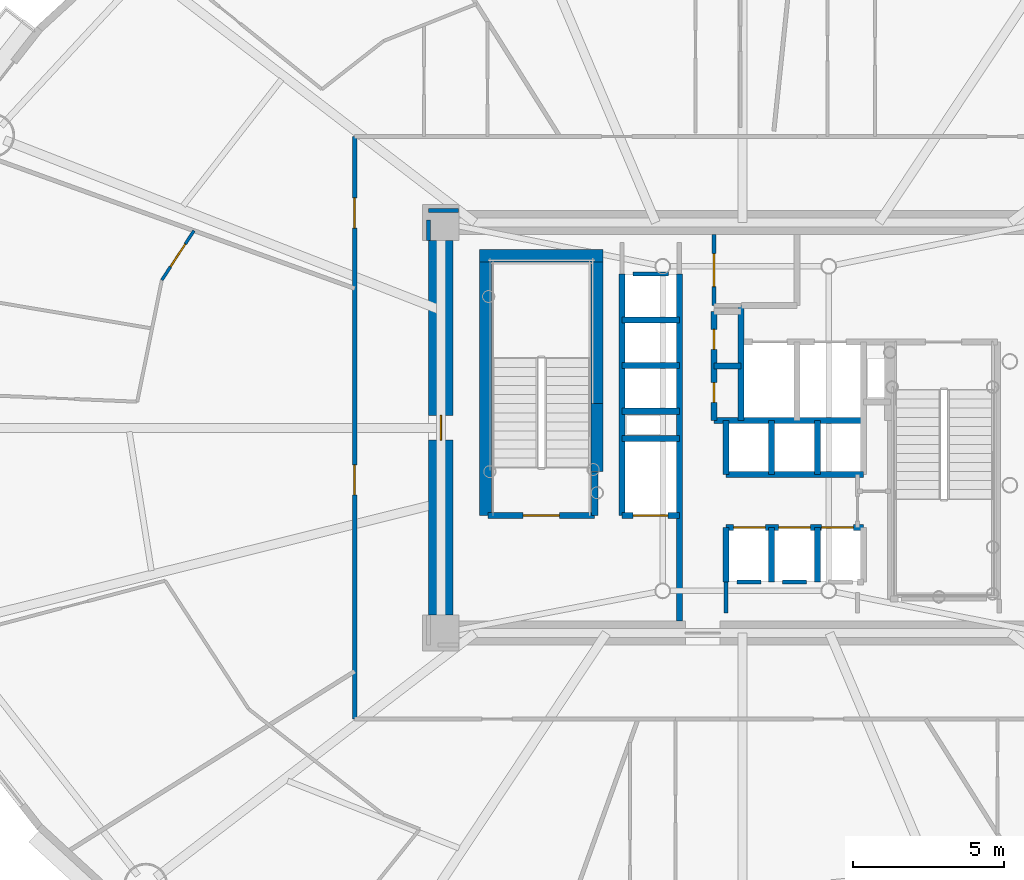
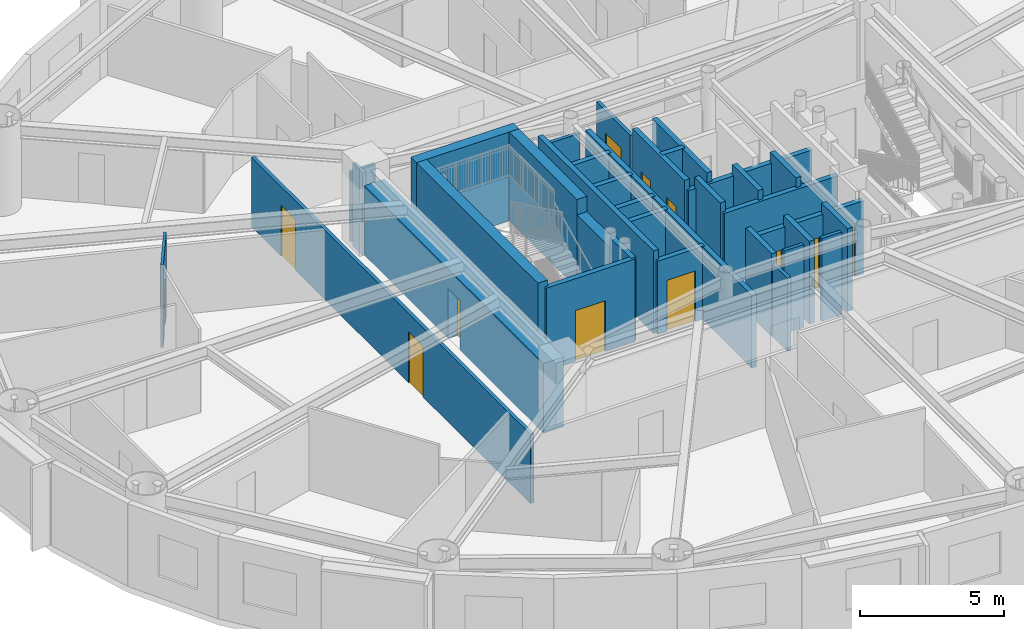
# One storey, part 9 of 19: 35 walls, 12 doors, 12 openings.
"""IFC4 building model written with IfcOpenShell, lengths in metres."""

from ifc_helpers import new_model, si_unit, direction, frame, frame_2d, origin, origin_2d, place, context, subcontext, project, spatial, rectangle, extrude, source, transform, mapped, material, layer, layer_set, type_object, element, fill, save


model = new_model("IFC4")

# Units and contexts
model_context = context("Model", 3, precision=1e-05, world=origin(), true_north=direction((0.0, 1.0)))
body_context = subcontext(model_context, "Body", "Model", "MODEL_VIEW")
ifc_project = project(units=[si_unit("LENGTHUNIT", "METRE"), si_unit("AREAUNIT", "SQUARE_METRE"), si_unit("VOLUMEUNIT", "CUBIC_METRE"), si_unit("PLANEANGLEUNIT", "RADIAN"), si_unit("MASSUNIT", "GRAM", prefix="KILO")], contexts=[model_context])

# Site, building, storey
site_placement = place(None, origin())
site = spatial("IfcSite", under=ifc_project, at=site_placement, CompositionType="ELEMENT")
building_placement = place(site_placement, origin())
building = spatial("IfcBuilding", under=site, at=building_placement, Name="Linh Dai School and Residence Tower", CompositionType="ELEMENT")
storey_placement = place(building_placement, frame((0.0, 0.0, 119.699951171875)))
storey = spatial("IfcBuildingStorey", under=building, at=storey_placement, Name="L28", CompositionType="ELEMENT", Elevation=119.699951171875)

# Wall, openings, doors
ifc_material_1 = material(Name="Autoclaved Aerated Concrete Blockwork", Category="masonry")
ifc_layer_1 = layer(ifc_material_1, 0.135009765625)
ifc_layer_set_1 = layer_set([ifc_layer_1], Name="Autoclaved Aerated Concrete Blockwork")
wall_type_1 = type_object("IfcWallType", Name="IW-CORR-135-EI90", PredefinedType="PARTITIONING", material=ifc_layer_set_1)
wall_1_placement = place(storey_placement, frame((23.14990234375, 17.35009765625, 0.0), z_axis=(0.0, 0.0, 1.0), x_axis=(0.0, 1.0, 0.0)))
wall_1 = element("IfcWall", 1, at=wall_1_placement, inside=storey, type_object=wall_type_1, Name="L28 Interior Partition Wall 017", PredefinedType="PARTITIONING", context=body_context, shape_type="SweptSolid", body=[
    extrude(rectangle(XDim=19.2998046875, YDim=0.135009765625, at=frame_2d((9.64990234375, 0.0))), origin(), (0.0, 0.0, 1.0), 2.93505859375),
])
opening_1_placement = place(wall_1_placement, frame((16.263671875, 0.0, 0.0)))
opening_1 = element("IfcOpeningElement", 2, at=opening_1_placement, cuts=wall_1, Name="Opening D03", PredefinedType="OPENING", context=body_context, shape_type="SweptSolid", body=[
    extrude(rectangle(XDim=1.0, YDim=2.14990234375, at=origin_2d()), frame((0.5, 0.07763671875, 1.074951171875), z_axis=(0.0, -1.0, 0.0), x_axis=(1.0, 0.0, 0.0)), (0.0, 0.0, 1.0), 0.155029296875),
])
opening_2_placement = place(wall_1_placement, frame((7.425537109375, 0.0, 0.0)))
opening_2 = element("IfcOpeningElement", 3, at=opening_2_placement, cuts=wall_1, Name="Opening D03", PredefinedType="OPENING", context=body_context, shape_type="SweptSolid", body=[
    extrude(rectangle(XDim=1.0, YDim=2.14990234375, at=origin_2d()), frame((0.5, 0.07763671875, 1.074951171875), z_axis=(0.0, -1.0, 0.0), x_axis=(1.0, 0.0, 0.0)), (0.0, 0.0, 1.0), 0.155029296875),
])
ifc_material_2 = material(Name="Fire-Rated Solid Timber Entrance Door", Category="wood")
door_type_1 = type_object("IfcDoorType", Name="DR-FLAT-1000x2150-FD60S", OperationType="NOTDEFINED", PredefinedType="DOOR", material=ifc_material_2)
shared_shape_1 = source(origin(), body_context, "Body", "SweptSolid", [
    extrude(rectangle(XDim=1.0, YDim=2.14990234375, at=origin_2d()), frame((0.5, 0.02490234375, 1.074951171875), z_axis=(0.0, -1.0, 0.0), x_axis=(1.0, 0.0, 0.0)), (0.0, 0.0, 1.0), 0.050048828125),
])
door_1_placement = place(opening_1_placement, origin())
door_1 = element("IfcDoor", 4, at=door_1_placement, inside=storey, type_object=door_type_1, Name="L28 U2802 Apartment Entrance Door", OperationType="SINGLE_SWING_LEFT", OverallHeight=2.14990234375, OverallWidth=1.0, PredefinedType="DOOR", context=body_context, shape_type="MappedRepresentation", body=[
    mapped(shared_shape_1, transform((0.0, 0.0, 0.0), x_axis=(1.0, 0.0, 0.0), y_axis=(0.0, 1.0, 0.0), z_axis=(0.0, 0.0, 1.0), scale=1.0)),
])
fill(opening_1, door_1)
door_2_placement = place(opening_2_placement, origin())
door_2 = element("IfcDoor", 5, at=door_2_placement, inside=storey, type_object=door_type_1, Name="L28 U2803 Apartment Entrance Door", OperationType="SINGLE_SWING_LEFT", OverallHeight=2.14990234375, OverallWidth=1.0, PredefinedType="DOOR", context=body_context, shape_type="MappedRepresentation", body=[
    mapped(shared_shape_1, transform((0.0, 0.0, 0.0), x_axis=(1.0, 0.0, 0.0), y_axis=(0.0, 1.0, 0.0), z_axis=(0.0, 0.0, 1.0), scale=1.0)),
])
fill(opening_2, door_2)

# Wall, opening, door
wall_2_placement = place(storey_placement, frame((35.050048828125, 31.050048828125, 0.0), z_axis=(0.0, 0.0, 1.0), x_axis=(0.0, 1.0, 0.0)))
wall_2 = element("IfcWall", 6, at=wall_2_placement, inside=storey, type_object=wall_type_1, Name="L28 Interior Partition Wall 046", PredefinedType="PARTITIONING", context=body_context, shape_type="SweptSolid", body=[
    extrude(rectangle(XDim=2.349853515625, YDim=0.135009765625, at=frame_2d((1.1748046875, 0.0))), origin(), (0.0, 0.0, 1.0), 3.0849609375),
])
opening_3_placement = place(wall_2_placement, frame((0.625, 0.0, 0.0)))
opening_3 = element("IfcOpeningElement", 7, at=opening_3_placement, cuts=wall_2, Name="Opening D07", PredefinedType="OPENING", context=body_context, shape_type="SweptSolid", body=[
    extrude(rectangle(XDim=1.10009765625, YDim=2.14990234375, at=origin_2d()), frame((0.550048828125, 0.07763671875, 1.074951171875), z_axis=(0.0, -1.0, 0.0), x_axis=(1.0, 0.0, 0.0)), (0.0, 0.0, 1.0), 0.155029296875),
])
ifc_material_3 = material(Name="Fire-Rated Louvred Steel Plant Door", Category="steel")
door_type_2 = type_object("IfcDoorType", Name="DR-PLT-1100x2150-FD60S", OperationType="NOTDEFINED", PredefinedType="DOOR", material=ifc_material_3)
shared_shape_2 = source(origin(), body_context, "Body", "SweptSolid", [
    extrude(rectangle(XDim=1.10009765625, YDim=2.14990234375, at=origin_2d()), frame((0.550048828125, 0.02490234375, 1.074951171875), z_axis=(0.0, -1.0, 0.0), x_axis=(1.0, 0.0, 0.0)), (0.0, 0.0, 1.0), 0.050048828125),
])
door_3_placement = place(opening_3_placement, origin())
door_3 = element("IfcDoor", 8, at=door_3_placement, inside=storey, type_object=door_type_2, Name="L28 North Telecom Switchroom Door", OperationType="SINGLE_SWING_LEFT", OverallHeight=2.14990234375, OverallWidth=1.10009765625, PredefinedType="DOOR", context=body_context, shape_type="MappedRepresentation", body=[
    mapped(shared_shape_2, transform((0.0, 0.0, 0.0), x_axis=(1.0, 0.0, 0.0), y_axis=(0.0, 1.0, 0.0), z_axis=(0.0, 0.0, 1.0), scale=1.0)),
])
fill(opening_3, door_3)

# Walls
wall_3_placement = place(storey_placement, frame((36.60009765625, 21.89990234375, 0.0), z_axis=(0.0, 0.0, 1.0), x_axis=(-1.0, 0.0, 0.0)))
element("IfcWall", 9, at=wall_3_placement, inside=storey, type_object=wall_type_1, Name="L28 Interior Partition Wall 102", PredefinedType="PARTITIONING", context=body_context, shape_type="SweptSolid", body=[
    extrude(rectangle(XDim=0.7900390625, YDim=0.135009765625, at=frame_2d((0.39501953125, 0.0))), origin(), (0.0, 0.0, 1.0), 3.5),
])
wall_4_placement = place(storey_placement, frame((38.1201171875, 21.89990234375, 0.0), z_axis=(0.0, 0.0, 1.0), x_axis=(-1.0, 0.0, 0.0)))
element("IfcWall", 10, at=wall_4_placement, inside=storey, type_object=wall_type_1, Name="L28 Interior Partition Wall 103", PredefinedType="PARTITIONING", context=body_context, shape_type="SweptSolid", body=[
    extrude(rectangle(XDim=0.800048828125, YDim=0.135009765625, at=frame_2d((0.39990234375, 0.0))), origin(), (0.0, 0.0, 1.0), 3.5),
])
wall_5_placement = place(storey_placement, frame((32.360107421875, 32.10009765625, 0.0), z_axis=(0.0, 0.0, 1.0), x_axis=(1.0, 0.0, 0.0)))
element("IfcWall", 11, at=wall_5_placement, inside=storey, type_object=wall_type_1, Name="L28 Interior Partition Wall 105", PredefinedType="PARTITIONING", context=body_context, shape_type="SweptSolid", body=[
    extrude(rectangle(XDim=1.179931640625, YDim=0.135009765625, at=frame_2d((0.58984375, 0.0))), origin(), (0.0, 0.0, 1.0), 3.0849609375),
])
wall_6_placement = place(storey_placement, frame((35.449951171875, 21.889892578125, 0.0), z_axis=(0.0, 0.0, 1.0), x_axis=(0.0, -1.0, 0.0)))
element("IfcWall", 12, at=wall_6_placement, inside=storey, type_object=wall_type_1, Name="L28 Interior Partition Wall 109", PredefinedType="PARTITIONING", context=body_context, shape_type="SweptSolid", body=[
    extrude(rectangle(XDim=1.02978515625, YDim=0.135009765625, at=frame_2d((0.514892578125, 0.0))), origin(), (0.0, 0.0, 1.0), 3.0849609375),
])
wall_7_placement = place(storey_placement, frame((26.590087890625, 34.199951171875, 0.0), z_axis=(0.0, 0.0, 1.0), x_axis=(-1.0, 0.0, 0.0)))
element("IfcWall", 13, at=wall_7_placement, inside=storey, type_object=wall_type_1, Name="L28 Interior Partition Wall 114", PredefinedType="PARTITIONING", context=body_context, shape_type="SweptSolid", body=[
    extrude(rectangle(XDim=0.989990234375, YDim=0.135009765625, at=frame_2d((0.4951171875, 0.0))), origin(), (0.0, 0.0, 1.0), 2.93505859375),
])
wall_8_placement = place(storey_placement, frame((25.60009765625, 33.892578125, 0.0), z_axis=(0.0, 0.0, 1.0), x_axis=(0.0, -1.0, 0.0)))
element("IfcWall", 14, at=wall_8_placement, inside=storey, type_object=wall_type_1, Name="L28 Interior Partition Wall 115", PredefinedType="PARTITIONING", context=body_context, shape_type="SweptSolid", body=[
    extrude(rectangle(XDim=0.6826171875, YDim=0.135009765625, at=frame_2d((0.34130859375, 0.0))), origin(), (0.0, 0.0, 1.0), 3.5),
])

# Wall, opening, door
ifc_material_4 = material(Name="Concrete B45 (C35/45)", Category="concrete")
ifc_layer_2 = layer(ifc_material_4, 0.199951171875)
ifc_layer_set_2 = layer_set([ifc_layer_2], Name="Concrete B45 (C35/45)")
wall_type_2 = type_object("IfcWallType", Name="IW-SHAFT-200-EI120", PredefinedType="PARTITIONING", material=ifc_layer_set_2)
wall_9_placement = place(storey_placement, frame((27.56005859375, 24.10009765625, 0.0), z_axis=(0.0, 0.0, 1.0), x_axis=(1.0, 0.0, 0.0)))
wall_9 = element("IfcWall", 15, at=wall_9_placement, inside=storey, type_object=wall_type_2, Name="L28 Interior Partition Wall 025", PredefinedType="PARTITIONING", context=body_context, shape_type="SweptSolid", body=[
    extrude(rectangle(XDim=3.5400390625, YDim=0.199951171875, at=frame_2d((1.77001953125, 0.0))), origin(), (0.0, 0.0, 1.0), 3.5),
])
opening_4_placement = place(wall_9_placement, frame((1.169921875, 0.0, 0.0)))
opening_4 = element("IfcOpeningElement", 16, at=opening_4_placement, cuts=wall_9, Name="Opening D01", PredefinedType="OPENING", context=body_context, shape_type="SweptSolid", body=[
    extrude(rectangle(XDim=1.199951171875, YDim=2.14990234375, at=origin_2d()), frame((0.60009765625, 0.10986328125, 1.074951171875), z_axis=(0.0, -1.0, 0.0), x_axis=(1.0, 0.0, 0.0)), (0.0, 0.0, 1.0), 0.219970703125),
])
ifc_material_5 = material(Name="Fire-Rated Steel Door Leaf", Category="steel")
door_type_3 = type_object("IfcDoorType", Name="DR-STAIR-1200x2150-FD90S", OperationType="NOTDEFINED", PredefinedType="DOOR", material=ifc_material_5)
shared_shape_3 = source(origin(), body_context, "Body", "SweptSolid", [
    extrude(rectangle(XDim=1.199951171875, YDim=2.14990234375, at=origin_2d()), frame((0.60009765625, 0.02490234375, 1.074951171875), z_axis=(0.0, -1.0, 0.0), x_axis=(1.0, 0.0, 0.0)), (0.0, 0.0, 1.0), 0.050048828125),
])
door_4_placement = place(opening_4_placement, origin())
door_4 = element("IfcDoor", 17, at=door_4_placement, inside=storey, type_object=door_type_3, Name="L28 Core Smokeproof Exit Stair ST1 Door", OperationType="SINGLE_SWING_LEFT", OverallHeight=2.14990234375, OverallWidth=1.199951171875, PredefinedType="DOOR", context=body_context, shape_type="MappedRepresentation", body=[
    mapped(shared_shape_3, transform((0.0, 0.0, 0.0), x_axis=(1.0, 0.0, 0.0), y_axis=(0.0, 1.0, 0.0), z_axis=(0.0, 0.0, 1.0), scale=1.0)),
])
fill(opening_4, door_4)

# Walls
wall_10_placement = place(storey_placement, frame((31.10009765625, 24.10009765625, 0.0), z_axis=(0.0, 0.0, 1.0), x_axis=(0.0, 1.0, 0.0)))
element("IfcWall", 18, at=wall_10_placement, inside=storey, type_object=wall_type_2, Name="L28 Interior Partition Wall 029", PredefinedType="PARTITIONING", context=body_context, shape_type="SweptSolid", body=[
    extrude(rectangle(XDim=1.43994140625, YDim=0.199951171875, at=frame_2d((0.719970703125, 0.0))), origin(), (0.0, 0.0, 1.0), 3.5),
])
wall_11_placement = place(storey_placement, frame((32.0, 24.10009765625, 0.0), z_axis=(0.0, 0.0, 1.0), x_axis=(0.0, 1.0, 0.0)))
element("IfcWall", 19, at=wall_11_placement, inside=storey, type_object=wall_type_2, Name="L28 Interior Partition Wall 030", PredefinedType="PARTITIONING", context=body_context, shape_type="SweptSolid", body=[
    extrude(rectangle(XDim=8.0, YDim=0.199951171875, at=frame_2d((4.0, 0.0))), origin(), (0.0, 0.0, 1.0), 3.5),
])

# Wall, opening, door
wall_12_placement = place(storey_placement, frame((32.0, 24.10009765625, 0.0), z_axis=(0.0, 0.0, 1.0), x_axis=(1.0, 0.0, 0.0)))
wall_12 = element("IfcWall", 20, at=wall_12_placement, inside=storey, type_object=wall_type_2, Name="L28 Interior Partition Wall 031", PredefinedType="PARTITIONING", context=body_context, shape_type="SweptSolid", body=[
    extrude(rectangle(XDim=1.89990234375, YDim=0.199951171875, at=frame_2d((0.949951171875, 0.0))), origin(), (0.0, 0.0, 1.0), 3.0849609375),
])
opening_5_placement = place(wall_12_placement, frame((0.375, 0.0, 0.0)))
opening_5 = element("IfcOpeningElement", 21, at=opening_5_placement, cuts=wall_12, Name="Opening LD-FF2", PredefinedType="OPENING", context=body_context, shape_type="SweptSolid", body=[
    extrude(rectangle(XDim=1.14990234375, YDim=2.14990234375, at=origin_2d()), frame((0.574951171875, 0.10986328125, 1.074951171875), z_axis=(0.0, -1.0, 0.0), x_axis=(1.0, 0.0, 0.0)), (0.0, 0.0, 1.0), 0.219970703125),
])
ifc_material_6 = material(Name="Fire-Rated Stainless Steel Firefighting Lift Door", Category="steel")
door_type_4 = type_object("IfcDoorType", Name="DR-LD-FF-1150x2150-FD120", OperationType="DOUBLE_DOOR_SLIDING", PredefinedType="USERDEFINED", material=ifc_material_6)
shared_shape_4 = source(origin(), body_context, "Body", "SweptSolid", [
    extrude(rectangle(XDim=1.14990234375, YDim=2.14990234375, at=origin_2d()), frame((0.574951171875, 0.02490234375, 1.074951171875), z_axis=(0.0, -1.0, 0.0), x_axis=(1.0, 0.0, 0.0)), (0.0, 0.0, 1.0), 0.050048828125),
])
door_5_placement = place(opening_5_placement, origin())
door_5 = element("IfcDoor", 22, at=door_5_placement, inside=storey, type_object=door_type_4, Name="L28 Lift FF2 Sliding Landing Door", ObjectType="LANDING DOOR", OperationType="DOUBLE_DOOR_SLIDING", OverallHeight=2.14990234375, OverallWidth=1.14990234375, PredefinedType="USERDEFINED", context=body_context, shape_type="MappedRepresentation", body=[
    mapped(shared_shape_4, transform((0.0, 0.0, 0.0), x_axis=(1.0, 0.0, 0.0), y_axis=(0.0, 1.0, 0.0), z_axis=(0.0, 0.0, 1.0), scale=1.0)),
])
fill(opening_5, door_5)

# Walls
for number, where, z_axis, x_axis, name in (
    (23, (32.0, 26.64990234375, 0.0), (0.0, 0.0, 1.0), (1.0, 0.0, 0.0), "L28 Interior Partition Wall 032"),
    (24, (32.0, 27.550048828125, 0.0), (0.0, 0.0, 1.0), (1.0, 0.0, 0.0), "L28 Interior Partition Wall 033"),
    (25, (32.0, 29.06005859375, 0.0), (0.0, 0.0, 1.0), (1.0, 0.0, 0.0), "L28 Interior Partition Wall 034"),
    (26, (32.0, 30.580078125, 0.0), (0.0, 0.0, 1.0), (1.0, 0.0, 0.0), "L28 Interior Partition Wall 035"),
):
    element("IfcWall", number, at=place(storey_placement, frame(where, z_axis=z_axis, x_axis=x_axis)), inside=storey, type_object=wall_type_2, Name=name, PredefinedType="PARTITIONING", context=body_context, shape_type="SweptSolid", body=[
        extrude(rectangle(XDim=1.89990234375, YDim=0.199951171875, at=frame_2d((0.949951171875, 0.0))), origin(), (0.0, 0.0, 1.0), 3.0849609375),
    ])
wall_13_placement = place(storey_placement, frame((33.89990234375, 20.60009765625, 0.0), z_axis=(0.0, 0.0, 1.0), x_axis=(0.0, 1.0, 0.0)))
element("IfcWall", 27, at=wall_13_placement, inside=storey, type_object=wall_type_2, Name="L28 Interior Partition Wall 039", PredefinedType="PARTITIONING", context=body_context, shape_type="SweptSolid", body=[
    extrude(rectangle(XDim=11.5, YDim=0.199951171875, at=frame_2d((5.75, 0.0))), origin(), (0.0, 0.0, 1.0), 3.0849609375),
])

# Wall, openings, doors
wall_14_placement = place(storey_placement, frame((35.050048828125, 27.25, 0.0), z_axis=(0.0, 0.0, 1.0), x_axis=(0.0, 1.0, 0.0)))
wall_14 = element("IfcWall", 28, at=wall_14_placement, inside=storey, type_object=wall_type_2, Name="L28 Interior Partition Wall 042", PredefinedType="PARTITIONING", context=body_context, shape_type="SweptSolid", body=[
    extrude(rectangle(XDim=3.60009765625, YDim=0.199951171875, at=frame_2d((1.800048828125, 0.0))), origin(), (0.0, 0.0, 1.0), 3.5),
])
opening_6_placement = place(wall_14_placement, frame((0.590087890625, 0.0, 0.0)))
opening_6 = element("IfcOpeningElement", 29, at=opening_6_placement, cuts=wall_14, Name="Opening AD1", PredefinedType="OPENING", context=body_context, shape_type="SweptSolid", body=[
    extrude(rectangle(XDim=0.659912109375, YDim=2.050048828125, at=origin_2d()), frame((0.330078125, 0.10986328125, 1.02490234375), z_axis=(0.0, -1.0, 0.0), x_axis=(1.0, 0.0, 0.0)), (0.0, 0.0, 1.0), 0.219970703125),
])
opening_7_placement = place(wall_14_placement, frame((2.35009765625, 0.0, 0.0)))
opening_7 = element("IfcOpeningElement", 30, at=opening_7_placement, cuts=wall_14, Name="Opening AD1", PredefinedType="OPENING", context=body_context, shape_type="SweptSolid", body=[
    extrude(rectangle(XDim=0.659912109375, YDim=2.050048828125, at=origin_2d()), frame((0.330078125, 0.10986328125, 1.02490234375), z_axis=(0.0, -1.0, 0.0), x_axis=(1.0, 0.0, 0.0)), (0.0, 0.0, 1.0), 0.219970703125),
])
ifc_material_7 = material(Name="Fire-Rated Steel Riser Access Door", Category="steel")
door_type_5 = type_object("IfcDoorType", Name="DR-ACC-660x2050-FD90S", OperationType="NOTDEFINED", PredefinedType="USERDEFINED", material=ifc_material_7)
shared_shape_5 = source(origin(), body_context, "Body", "SweptSolid", [
    extrude(rectangle(XDim=0.659912109375, YDim=2.050048828125, at=origin_2d()), frame((0.330078125, 0.02490234375, 1.02490234375), z_axis=(0.0, -1.0, 0.0), x_axis=(1.0, 0.0, 0.0)), (0.0, 0.0, 1.0), 0.050048828125),
])
door_6_placement = place(opening_6_placement, origin())
door_6 = element("IfcDoor", 31, at=door_6_placement, inside=storey, type_object=door_type_5, Name="L28 Telecom and Data Riser Access Door", ObjectType="ACCESS DOOR", OperationType="SINGLE_SWING_LEFT", OverallHeight=2.050048828125, OverallWidth=0.659912109375, PredefinedType="USERDEFINED", context=body_context, shape_type="MappedRepresentation", body=[
    mapped(shared_shape_5, transform((0.0, 0.0, 0.0), x_axis=(1.0, 0.0, 0.0), y_axis=(0.0, 1.0, 0.0), z_axis=(0.0, 0.0, 1.0), scale=1.0)),
])
fill(opening_6, door_6)
door_7_placement = place(opening_7_placement, origin())
door_7 = element("IfcDoor", 32, at=door_7_placement, inside=storey, type_object=door_type_5, Name="L28 Mechanical and Plumbing Riser Access Door", ObjectType="ACCESS DOOR", OperationType="SINGLE_SWING_RIGHT", OverallHeight=2.050048828125, OverallWidth=0.659912109375, PredefinedType="USERDEFINED", context=body_context, shape_type="MappedRepresentation", body=[
    mapped(shared_shape_5, transform((0.0, 0.0, 0.0), x_axis=(1.0, 0.0, 0.0), y_axis=(0.0, 1.0, 0.0), z_axis=(0.0, 0.0, 1.0), scale=1.0)),
])
fill(opening_7, door_7)

# Walls
wall_15_placement = place(storey_placement, frame((35.050048828125, 27.25, 0.0), z_axis=(0.0, 0.0, 1.0), x_axis=(1.0, 0.0, 0.0)))
element("IfcWall", 33, at=wall_15_placement, inside=storey, type_object=wall_type_2, Name="L28 Interior Partition Wall 043", PredefinedType="PARTITIONING", context=body_context, shape_type="SweptSolid", body=[
    extrude(rectangle(XDim=4.949951171875, YDim=0.199951171875, at=frame_2d((2.47509765625, 0.0))), origin(), (0.0, 0.0, 1.0), 3.0849609375),
])
wall_16_placement = place(storey_placement, frame((35.050048828125, 29.050048828125, 0.0), z_axis=(0.0, 0.0, 1.0), x_axis=(1.0, 0.0, 0.0)))
element("IfcWall", 34, at=wall_16_placement, inside=storey, type_object=wall_type_2, Name="L28 Interior Partition Wall 044", PredefinedType="PARTITIONING", context=body_context, shape_type="SweptSolid", body=[
    extrude(rectangle(XDim=0.89990234375, YDim=0.199951171875, at=frame_2d((0.449951171875, 0.0))), origin(), (0.0, 0.0, 1.0), 3.5),
])
wall_17_placement = place(storey_placement, frame((35.449951171875, 21.89990234375, 0.0), z_axis=(0.0, 0.0, 1.0), x_axis=(0.0, 1.0, 0.0)))
element("IfcWall", 35, at=wall_17_placement, inside=storey, type_object=wall_type_2, Name="L28 Interior Partition Wall 048", PredefinedType="PARTITIONING", context=body_context, shape_type="SweptSolid", body=[
    extrude(rectangle(XDim=1.800048828125, YDim=0.199951171875, at=frame_2d((0.89990234375, 0.0))), origin(), (0.0, 0.0, 1.0), 3.5),
])

# Wall, openings, doors
wall_18_placement = place(storey_placement, frame((35.449951171875, 23.699951171875, 0.0), z_axis=(0.0, 0.0, 1.0), x_axis=(1.0, 0.0, 0.0)))
wall_18 = element("IfcWall", 36, at=wall_18_placement, inside=storey, type_object=wall_type_2, Name="L28 Interior Partition Wall 049", PredefinedType="PARTITIONING", context=body_context, shape_type="SweptSolid", body=[
    extrude(rectangle(XDim=4.550048828125, YDim=0.199951171875, at=frame_2d((2.27490234375, 0.0))), origin(), (0.0, 0.0, 1.0), 3.0849609375),
])
opening_8_placement = place(wall_18_placement, frame((0.25, 0.0, 0.0)))
opening_8 = element("IfcOpeningElement", 37, at=opening_8_placement, cuts=wall_18, Name="Opening LD-PL1", PredefinedType="OPENING", context=body_context, shape_type="SweptSolid", body=[
    extrude(rectangle(XDim=1.050048828125, YDim=2.14990234375, at=origin_2d()), frame((0.52490234375, 0.10986328125, 1.074951171875), z_axis=(0.0, -1.0, 0.0), x_axis=(1.0, 0.0, 0.0)), (0.0, 0.0, 1.0), 0.219970703125),
])
opening_9_placement = place(wall_18_placement, frame((1.7451171875, 0.0, 0.0)))
opening_9 = element("IfcOpeningElement", 38, at=opening_9_placement, cuts=wall_18, Name="Opening LD-PL2", PredefinedType="OPENING", context=body_context, shape_type="SweptSolid", body=[
    extrude(rectangle(XDim=1.050048828125, YDim=2.14990234375, at=origin_2d()), frame((0.52490234375, 0.10986328125, 1.074951171875), z_axis=(0.0, -1.0, 0.0), x_axis=(1.0, 0.0, 0.0)), (0.0, 0.0, 1.0), 0.219970703125),
])
opening_10_placement = place(wall_18_placement, frame((3.1650390625, 0.0, 0.0)))
opening_10 = element("IfcOpeningElement", 39, at=opening_10_placement, cuts=wall_18, Name="Opening LD-PL3", PredefinedType="OPENING", context=body_context, shape_type="SweptSolid", body=[
    extrude(rectangle(XDim=1.050048828125, YDim=2.14990234375, at=origin_2d()), frame((0.52490234375, 0.10986328125, 1.074951171875), z_axis=(0.0, -1.0, 0.0), x_axis=(1.0, 0.0, 0.0)), (0.0, 0.0, 1.0), 0.219970703125),
])
ifc_material_8 = material(Name="Brushed Stainless Steel Lift Landing Door", Category="steel")
door_type_6 = type_object("IfcDoorType", Name="DR-LD-PASS-1050x2150", OperationType="DOUBLE_DOOR_SLIDING", PredefinedType="USERDEFINED", material=ifc_material_8)
shared_shape_6 = source(origin(), body_context, "Body", "SweptSolid", [
    extrude(rectangle(XDim=1.050048828125, YDim=2.14990234375, at=origin_2d()), frame((0.52490234375, 0.02490234375, 1.074951171875), z_axis=(0.0, -1.0, 0.0), x_axis=(1.0, 0.0, 0.0)), (0.0, 0.0, 1.0), 0.050048828125),
])
door_8_placement = place(opening_8_placement, origin())
door_8 = element("IfcDoor", 40, at=door_8_placement, inside=storey, type_object=door_type_6, Name="L28 Lift PL1 Sliding Landing Door", ObjectType="LANDING DOOR", OperationType="DOUBLE_DOOR_SLIDING", OverallHeight=2.14990234375, OverallWidth=1.050048828125, PredefinedType="USERDEFINED", context=body_context, shape_type="MappedRepresentation", body=[
    mapped(shared_shape_6, transform((0.0, 0.0, 0.0), x_axis=(1.0, 0.0, 0.0), y_axis=(0.0, 1.0, 0.0), z_axis=(0.0, 0.0, 1.0), scale=1.0)),
])
fill(opening_8, door_8)
door_9_placement = place(opening_9_placement, origin())
door_9 = element("IfcDoor", 41, at=door_9_placement, inside=storey, type_object=door_type_6, Name="L28 Lift PL2 Sliding Landing Door", ObjectType="LANDING DOOR", OperationType="DOUBLE_DOOR_SLIDING", OverallHeight=2.14990234375, OverallWidth=1.050048828125, PredefinedType="USERDEFINED", context=body_context, shape_type="MappedRepresentation", body=[
    mapped(shared_shape_6, transform((0.0, 0.0, 0.0), x_axis=(1.0, 0.0, 0.0), y_axis=(0.0, 1.0, 0.0), z_axis=(0.0, 0.0, 1.0), scale=1.0)),
])
fill(opening_9, door_9)
door_10_placement = place(opening_10_placement, origin())
door_10 = element("IfcDoor", 42, at=door_10_placement, inside=storey, type_object=door_type_6, Name="L28 Lift PL3 Sliding Landing Door", ObjectType="LANDING DOOR", OperationType="DOUBLE_DOOR_SLIDING", OverallHeight=2.14990234375, OverallWidth=1.050048828125, PredefinedType="USERDEFINED", context=body_context, shape_type="MappedRepresentation", body=[
    mapped(shared_shape_6, transform((0.0, 0.0, 0.0), x_axis=(1.0, 0.0, 0.0), y_axis=(0.0, 1.0, 0.0), z_axis=(0.0, 0.0, 1.0), scale=1.0)),
])
fill(opening_10, door_10)

# Walls
wall_19_placement = place(storey_placement, frame((35.449951171875, 25.449951171875, 0.0), z_axis=(0.0, 0.0, 1.0), x_axis=(0.0, 1.0, 0.0)))
element("IfcWall", 43, at=wall_19_placement, inside=storey, type_object=wall_type_2, Name="L28 Interior Partition Wall 050", PredefinedType="PARTITIONING", context=body_context, shape_type="SweptSolid", body=[
    extrude(rectangle(XDim=1.800048828125, YDim=0.199951171875, at=frame_2d((0.89990234375, 0.0))), origin(), (0.0, 0.0, 1.0), 3.5),
])
wall_20_placement = place(storey_placement, frame((35.449951171875, 25.449951171875, 0.0), z_axis=(0.0, 0.0, 1.0), x_axis=(1.0, 0.0, 0.0)))
element("IfcWall", 44, at=wall_20_placement, inside=storey, type_object=wall_type_2, Name="L28 Interior Partition Wall 051", PredefinedType="PARTITIONING", context=body_context, shape_type="SweptSolid", body=[
    extrude(rectangle(XDim=4.550048828125, YDim=0.199951171875, at=frame_2d((2.27490234375, 0.0))), origin(), (0.0, 0.0, 1.0), 3.0849609375),
])
wall_21_placement = place(storey_placement, frame((35.949951171875, 27.25, 0.0), z_axis=(0.0, 0.0, 1.0), x_axis=(0.0, 1.0, 0.0)))
element("IfcWall", 45, at=wall_21_placement, inside=storey, type_object=wall_type_2, Name="L28 Interior Partition Wall 054", PredefinedType="PARTITIONING", context=body_context, shape_type="SweptSolid", body=[
    extrude(rectangle(XDim=3.800048828125, YDim=0.199951171875, at=frame_2d((1.89990234375, 0.0))), origin(), (0.0, 0.0, 1.0), 3.5),
])
for number, where, z_axis, x_axis, name in (
    (46, (36.9599609375, 21.89990234375, 0.0), (0.0, 0.0, 1.0), (0.0, 1.0, 0.0), "L28 Interior Partition Wall 058"),
    (47, (36.9599609375, 25.449951171875, 0.0), (0.0, 0.0, 1.0), (0.0, 1.0, 0.0), "L28 Interior Partition Wall 059"),
    (48, (38.47998046875, 21.89990234375, 0.0), (0.0, 0.0, 1.0), (0.0, 1.0, 0.0), "L28 Interior Partition Wall 064"),
    (49, (38.47998046875, 25.449951171875, 0.0), (0.0, 0.0, 1.0), (0.0, 1.0, 0.0), "L28 Interior Partition Wall 065"),
):
    element("IfcWall", number, at=place(storey_placement, frame(where, z_axis=z_axis, x_axis=x_axis)), inside=storey, type_object=wall_type_2, Name=name, PredefinedType="PARTITIONING", context=body_context, shape_type="SweptSolid", body=[
        extrude(rectangle(XDim=1.800048828125, YDim=0.199951171875, at=frame_2d((0.89990234375, 0.0))), origin(), (0.0, 0.0, 1.0), 3.5),
    ])

# Wall, opening, door
ifc_material_9 = material(Name="Gypsum Plasterboard Acoustic Stud Partition", Category="masonry")
ifc_layer_3 = layer(ifc_material_9, 0.10009765625)
ifc_layer_set_3 = layer_set([ifc_layer_3], Name="Gypsum Plasterboard Acoustic Stud Partition")
wall_type_3 = type_object("IfcWallType", Name="IW-UNIT-100", PredefinedType="PARTITIONING", material=ifc_layer_set_3)
wall_22_placement = place(storey_placement, frame((16.760009765625, 31.89501953125, 0.0), z_axis=(0.0, 0.0, 1.0), x_axis=(0.545370803514, 0.838194897786, 0.0)))
wall_22 = element("IfcWall", 50, at=wall_22_placement, inside=storey, type_object=wall_type_3, Name="L28 Interior Partition Wall 010", PredefinedType="PARTITIONING", context=body_context, shape_type="SweptSolid", body=[
    extrude(rectangle(XDim=1.951904296875, YDim=0.10009765625, at=frame_2d((0.97607421875, 0.0))), origin(), (0.0, 0.0, 1.0), 3.5),
])
opening_11_placement = place(wall_22_placement, frame((0.52587890625, 0.0, 0.0)))
opening_11 = element("IfcOpeningElement", 51, at=opening_11_placement, cuts=wall_22, Name="Opening D05", PredefinedType="OPENING", context=body_context, shape_type="SweptSolid", body=[
    extrude(rectangle(XDim=0.89990234375, YDim=2.10009765625, at=origin_2d()), frame((0.449951171875, 0.06005859375, 1.050048828125), z_axis=(0.0, -1.0, 0.0), x_axis=(1.0, 0.0, 0.0)), (0.0, 0.0, 1.0), 0.1201171875),
])
ifc_material_10 = material(Name="Engineered Timber Internal Door", Category="wood")
door_type_7 = type_object("IfcDoorType", Name="DR-INT-900x2100", OperationType="NOTDEFINED", PredefinedType="DOOR", material=ifc_material_10)
shared_shape_7 = source(origin(), body_context, "Body", "SweptSolid", [
    extrude(rectangle(XDim=0.89990234375, YDim=2.10009765625, at=origin_2d()), frame((0.449951171875, 0.02490234375, 1.050048828125), z_axis=(0.0, -1.0, 0.0), x_axis=(1.0, 0.0, 0.0)), (0.0, 0.0, 1.0), 0.050048828125),
])
door_11_placement = place(opening_11_placement, origin())
door_11 = element("IfcDoor", 52, at=door_11_placement, inside=storey, type_object=door_type_7, Name="L28 Apartment U2803 Principal Bedroom 1 Door", OperationType="SINGLE_SWING_RIGHT", OverallHeight=2.10009765625, OverallWidth=0.89990234375, PredefinedType="DOOR", context=body_context, shape_type="MappedRepresentation", body=[
    mapped(shared_shape_7, transform((0.0, 0.0, 0.0), x_axis=(1.0, 0.0, 0.0), y_axis=(0.0, 1.0, 0.0), z_axis=(0.0, 0.0, 1.0), scale=1.0)),
])
fill(opening_11, door_11)

# Walls
ifc_layer_4 = layer(ifc_material_4, 0.39990234375)
ifc_layer_set_4 = layer_set([ifc_layer_4], Name="Concrete B45 (C35/45)")
wall_type_4 = type_object("IfcWallType", Name="WL-CORE400", PredefinedType="SHEAR", material=ifc_layer_set_4)
wall_23_placement = place(storey_placement, frame((27.47998046875, 24.10009765625, 0.0), z_axis=(0.0, 0.0, 1.0), x_axis=(0.0, 1.0, 0.0)))
element("IfcWall", 53, at=wall_23_placement, inside=storey, type_object=wall_type_4, Name="L28 Core Stair ST1 Bearing Wall W", PredefinedType="SHEAR", context=body_context, shape_type="SweptSolid", body=[
    extrude(rectangle(XDim=8.599853515625, YDim=0.39990234375, at=frame_2d((4.2998046875, 0.0))), origin(), (0.0, 0.0, 1.0), 3.75),
])
wall_24_placement = place(storey_placement, frame((31.179931640625, 27.800048828125, 0.0), z_axis=(0.0, 0.0, 1.0), x_axis=(0.0, 1.0, 0.0)))
element("IfcWall", 54, at=wall_24_placement, inside=storey, type_object=wall_type_4, Name="L28 Core Stair ST1 Bearing Wall E", PredefinedType="SHEAR", context=body_context, shape_type="SweptSolid", body=[
    extrude(rectangle(XDim=4.89990234375, YDim=0.39990234375, at=frame_2d((2.449951171875, 0.0))), origin(), (0.0, 0.0, 1.0), 3.75),
])
wall_25_placement = place(storey_placement, frame((27.280029296875, 32.699951171875, 0.0), z_axis=(0.0, 0.0, 1.0), x_axis=(1.0, 0.0, 0.0)))
element("IfcWall", 55, at=wall_25_placement, inside=storey, type_object=wall_type_4, Name="L28 Core Stair ST1 Bearing Wall N", PredefinedType="SHEAR", context=body_context, shape_type="SweptSolid", body=[
    extrude(rectangle(XDim=4.099853515625, YDim=0.39990234375, at=frame_2d((2.0498046875, 0.0))), origin(), (0.0, 0.0, 1.0), 3.75),
])
wall_26_placement = place(storey_placement, frame((31.179931640625, 25.550048828125, 0.0), z_axis=(0.0, 0.0, 1.0), x_axis=(0.0, 1.0, 0.0)))
element("IfcWall", 56, at=wall_26_placement, inside=storey, type_object=wall_type_4, Name="L28 Internal Core Shear Wall IW", PredefinedType="SHEAR", context=body_context, shape_type="SweptSolid", body=[
    extrude(rectangle(XDim=2.25, YDim=0.39990234375, at=frame_2d((1.125, 0.0))), origin(), (0.0, 0.0, 1.0), 3.10009765625),
])

# Wall, opening, door
ifc_material_11 = material(Name="Concrete B60 (C50/60)", Category="concrete")
ifc_layer_5 = layer(ifc_material_11, 0.800048828125)
ifc_layer_set_5 = layer_set([ifc_layer_5], Name="Concrete B60 (C50/60)")
wall_type_5 = type_object("IfcWallType", Name="WL-CORE800", PredefinedType="SHEAR", material=ifc_layer_set_5)
wall_27_placement = place(storey_placement, frame((26.0, 20.800048828125, 0.0), z_axis=(0.0, 0.0, 1.0), x_axis=(0.0, 1.0, 0.0)))
wall_27 = element("IfcWall", 57, at=wall_27_placement, inside=storey, type_object=wall_type_5, Name="L28 Central Core Shear Wall W", PredefinedType="SHEAR", context=body_context, shape_type="SweptSolid", body=[
    extrude(rectangle(XDim=12.39990234375, YDim=0.800048828125, at=frame_2d((6.199951171875, 0.0))), origin(), (0.0, 0.0, 1.0), 2.949951171875),
])
opening_12_placement = place(wall_27_placement, frame((5.7900390625, 0.0, 0.0)))
opening_12 = element("IfcOpeningElement", 58, at=opening_12_placement, cuts=wall_27, Name="Opening D06", PredefinedType="OPENING", context=body_context, shape_type="SweptSolid", body=[
    extrude(rectangle(XDim=0.820068359375, YDim=2.10009765625, at=origin_2d()), frame((0.41015625, 0.41015625, 1.050048828125), z_axis=(0.0, -1.0, 0.0), x_axis=(1.0, 0.0, 0.0)), (0.0, 0.0, 1.0), 0.820068359375),
])
ifc_material_12 = material(Name="Moisture-Resistant Timber Bathroom Door", Category="wood")
door_type_8 = type_object("IfcDoorType", Name="DR-WET-820x2100", OperationType="NOTDEFINED", PredefinedType="DOOR", material=ifc_material_12)
shared_shape_8 = source(origin(), body_context, "Body", "SweptSolid", [
    extrude(rectangle(XDim=0.820068359375, YDim=2.10009765625, at=origin_2d()), frame((0.41015625, 0.02490234375, 1.050048828125), z_axis=(0.0, -1.0, 0.0), x_axis=(1.0, 0.0, 0.0)), (0.0, 0.0, 1.0), 0.050048828125),
])
door_12_placement = place(opening_12_placement, origin())
door_12 = element("IfcDoor", 59, at=door_12_placement, inside=storey, type_object=door_type_8, Name="L28 Firefighting Lobby Door", OperationType="SINGLE_SWING_RIGHT", OverallHeight=2.10009765625, OverallWidth=0.820068359375, PredefinedType="DOOR", context=body_context, shape_type="MappedRepresentation", body=[
    mapped(shared_shape_8, transform((0.0, 0.0, 0.0), x_axis=(1.0, 0.0, 0.0), y_axis=(0.0, 1.0, 0.0), z_axis=(0.0, 0.0, 1.0), scale=1.0)),
])
fill(opening_12, door_12)

save(model, "model.ifc")
